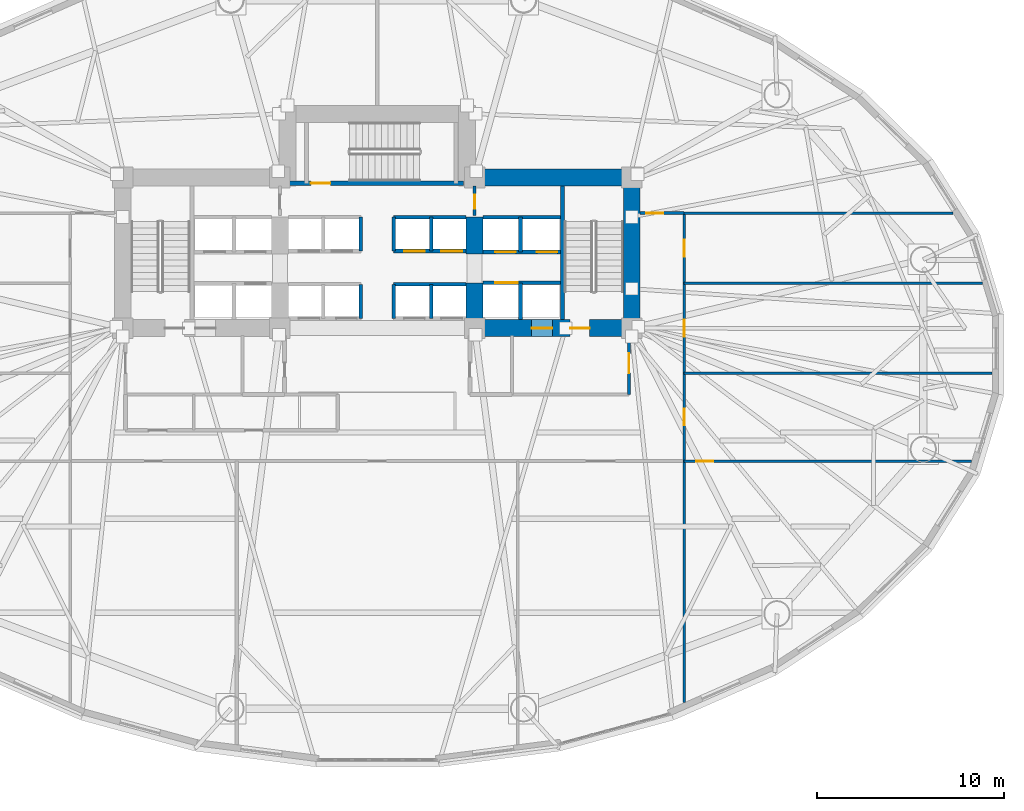
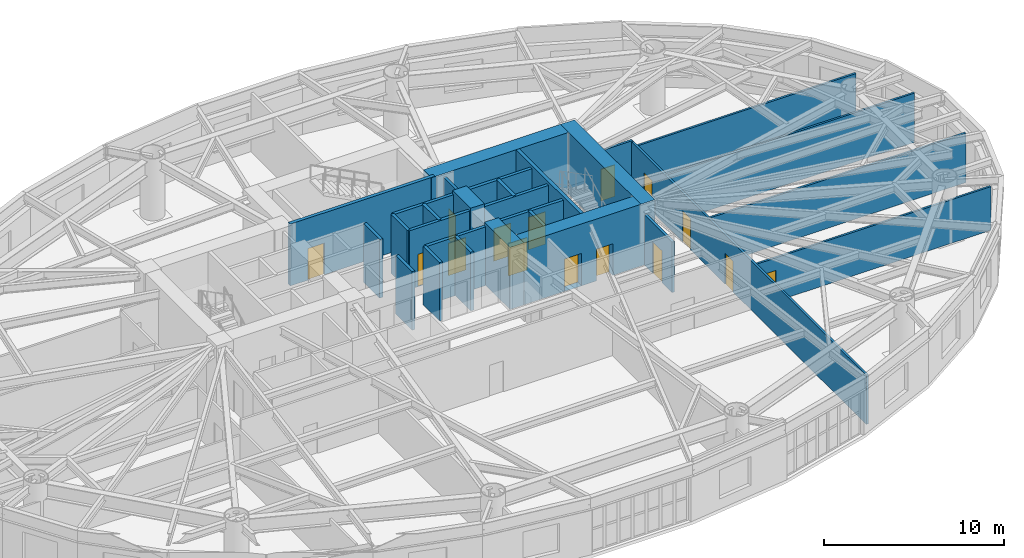
# One storey, part 11 of 18: 29 walls, 15 doors, 15 openings.
"""IFC4 building model written with IfcOpenShell, lengths in metres."""

from ifc_helpers import new_model, si_unit, direction, frame, frame_2d, origin, place, context, subcontext, project, spatial, rectangle, extrude, material, layer, layer_set, type_object, element, fill, save


model = new_model("IFC4")

# Units and contexts
model_context = context("Model", 3, precision=1e-05, world=origin(), true_north=direction((0.0, 1.0)))
body_context = subcontext(model_context, "Body", "Model", "MODEL_VIEW")
ifc_project = project(units=[si_unit("LENGTHUNIT", "METRE"), si_unit("AREAUNIT", "SQUARE_METRE"), si_unit("VOLUMEUNIT", "CUBIC_METRE"), si_unit("PLANEANGLEUNIT", "RADIAN"), si_unit("MASSUNIT", "GRAM", prefix="KILO")], contexts=[model_context])

# Site, building, storey
site_placement = place(None, origin())
site = spatial("IfcSite", under=ifc_project, at=site_placement, CompositionType="ELEMENT")
building_placement = place(site_placement, origin())
building = spatial("IfcBuilding", under=site, at=building_placement, Name="Keldmark Tower", CompositionType="ELEMENT")
storey_placement = place(building_placement, frame((0.0, 0.0, 6.0)))
storey = spatial("IfcBuildingStorey", under=building, at=storey_placement, Name="L01", CompositionType="ELEMENT", Elevation=6.0)

# Wall, openings, doors
ifc_material_1 = material(Name="Acoustic Double-Layer Gypsum Corridor Partition", Category="gypsum")
ifc_layer_1 = layer(ifc_material_1, 0.139892578125)
ifc_layer_set_1 = layer_set([ifc_layer_1], Name="Acoustic Double-Layer Gypsum Corridor Partition")
wall_type_1 = type_object("IfcWallType", Name="Acoustic Corridor Partition 140 mm", PredefinedType="PARTITIONING", material=ifc_layer_set_1)
wall_1_placement = place(storey_placement, frame((16.39990234375, -18.6025390625, 0.0), z_axis=(0.0, 0.0, 1.0), x_axis=(0.0, 1.0, 0.0)))
wall_1 = element("IfcWall", 1, at=wall_1_placement, inside=storey, type_object=wall_type_1, Name="L01 Acoustic Corridor Partition 140 mm COR-E", PredefinedType="PARTITIONING", context=body_context, shape_type="SweptSolid", body=[
    extrude(rectangle(XDim=26.152587890625, YDim=0.139892578125, at=frame_2d((13.076171875, 0.0))), origin(), (0.0, 0.0, 1.0), 3.347900390625),
])
opening_1_placement = place(wall_1_placement, frame((14.80224609375, 0.0, 0.0)))
opening_1 = element("IfcOpeningElement", 2, at=opening_1_placement, cuts=wall_1, Name="Opening D-IN090", PredefinedType="OPENING", context=body_context, shape_type="SweptSolid", body=[
    extrude(rectangle(XDim=0.89990234375, YDim=2.10009765625, at=frame_2d((0.449951171875, 1.050048828125))), frame((0.0, 0.079833984375, 0.0), z_axis=(0.0, -1.0, 0.0), x_axis=(1.0, 0.0, 0.0)), (0.0, 0.0, 1.0), 0.159912109375),
])
opening_2_placement = place(wall_1_placement, frame((19.55224609375, 0.0, 0.0)))
opening_2 = element("IfcOpeningElement", 3, at=opening_2_placement, cuts=wall_1, Name="Opening D-IN090", PredefinedType="OPENING", context=body_context, shape_type="SweptSolid", body=[
    extrude(rectangle(XDim=0.89990234375, YDim=2.10009765625, at=frame_2d((0.449951171875, 1.050048828125))), frame((0.0, 0.079833984375, 0.0), z_axis=(0.0, -1.0, 0.0), x_axis=(1.0, 0.0, 0.0)), (0.0, 0.0, 1.0), 0.159912109375),
])
opening_3_placement = place(wall_1_placement, frame((23.827392578125, 0.0, 0.0)))
opening_3 = element("IfcOpeningElement", 4, at=opening_3_placement, cuts=wall_1, Name="Opening D-IN090", PredefinedType="OPENING", context=body_context, shape_type="SweptSolid", body=[
    extrude(rectangle(XDim=0.89990234375, YDim=2.10009765625, at=frame_2d((0.449951171875, 1.050048828125))), frame((0.0, 0.079833984375, 0.0), z_axis=(0.0, -1.0, 0.0), x_axis=(1.0, 0.0, 0.0)), (0.0, 0.0, 1.0), 0.159912109375),
])
ifc_material_2 = material(Name="Stained American White Oak Veneer", Category="wood")
door_type_1 = type_object("IfcDoorType", Name="Interior Door 900x2100", OperationType="NOTDEFINED", PredefinedType="DOOR", material=ifc_material_2)
door_1_placement = place(opening_1_placement, origin())
door_1 = element("IfcDoor", 5, at=door_1_placement, inside=storey, type_object=door_type_1, Name="L01 Interior Door 900x2100 D-ER-1-L01", OperationType="SINGLE_SWING_RIGHT", OverallHeight=2.10009765625, OverallWidth=0.89990234375, PredefinedType="DOOR", context=body_context, shape_type="SweptSolid", body=[
    extrude(rectangle(XDim=0.89990234375, YDim=2.10009765625, at=frame_2d((0.449951171875, 1.050048828125))), frame((0.0, 0.02490234375, 0.0), z_axis=(0.0, -1.0, 0.0), x_axis=(1.0, 0.0, 0.0)), (0.0, 0.0, 1.0), 0.050048828125),
])
fill(opening_1, door_1)
door_2_placement = place(opening_2_placement, origin())
door_2 = element("IfcDoor", 6, at=door_2_placement, inside=storey, type_object=door_type_1, Name="L01 Interior Door 900x2100 D-ER-2-L01", OperationType="SINGLE_SWING_LEFT", OverallHeight=2.10009765625, OverallWidth=0.89990234375, PredefinedType="DOOR", context=body_context, shape_type="SweptSolid", body=[
    extrude(rectangle(XDim=0.89990234375, YDim=2.10009765625, at=frame_2d((0.449951171875, 1.050048828125))), frame((0.0, 0.02490234375, 0.0), z_axis=(0.0, -1.0, 0.0), x_axis=(1.0, 0.0, 0.0)), (0.0, 0.0, 1.0), 0.050048828125),
])
fill(opening_2, door_2)
door_3_placement = place(opening_3_placement, origin())
door_3 = element("IfcDoor", 7, at=door_3_placement, inside=storey, type_object=door_type_1, Name="L01 Interior Door 900x2100 D-ER-3-L01", OperationType="SINGLE_SWING_RIGHT", OverallHeight=2.10009765625, OverallWidth=0.89990234375, PredefinedType="DOOR", context=body_context, shape_type="SweptSolid", body=[
    extrude(rectangle(XDim=0.89990234375, YDim=2.10009765625, at=frame_2d((0.449951171875, 1.050048828125))), frame((0.0, 0.02490234375, 0.0), z_axis=(0.0, -1.0, 0.0), x_axis=(1.0, 0.0, 0.0)), (0.0, 0.0, 1.0), 0.050048828125),
])
fill(opening_3, door_3)

# Wall, opening, door
wall_2_placement = place(storey_placement, frame((14.050048828125, 7.550048828125, 0.0), z_axis=(0.0, 0.0, 1.0), x_axis=(1.0, 0.0, 0.0)))
wall_2 = element("IfcWall", 8, at=wall_2_placement, inside=storey, type_object=wall_type_1, Name="L01 Acoustic Corridor Partition 140 mm COR-EN-CAP", PredefinedType="PARTITIONING", context=body_context, shape_type="SweptSolid", body=[
    extrude(rectangle(XDim=2.349853515625, YDim=0.139892578125, at=frame_2d((1.1748046875, 0.0))), origin(), (0.0, 0.0, 1.0), 3.43310546875),
])
opening_4_placement = place(wall_2_placement, frame((0.320068359375, 0.0, 0.0)))
opening_4 = element("IfcOpeningElement", 9, at=opening_4_placement, cuts=wall_2, Name="Opening D-EX092", PredefinedType="OPENING", context=body_context, shape_type="SweptSolid", body=[
    extrude(rectangle(XDim=0.919921875, YDim=2.14990234375, at=frame_2d((0.4599609375, 1.074951171875))), frame((0.0, 0.079833984375, 0.0), z_axis=(0.0, -1.0, 0.0), x_axis=(1.0, 0.0, 0.0)), (0.0, 0.0, 1.0), 0.159912109375),
])
ifc_material_3 = material(Name="Flush American Ash Executive Office Door", Category="wood")
door_type_2 = type_object("IfcDoorType", Name="Executive Office Door 920x2150", OperationType="NOTDEFINED", PredefinedType="DOOR", material=ifc_material_3)
door_4_placement = place(opening_4_placement, origin())
door_4 = element("IfcDoor", 10, at=door_4_placement, inside=storey, type_object=door_type_2, Name="L01 Executive Office Door 920x2150 D-NRNE-L01", OperationType="SINGLE_SWING_RIGHT", OverallHeight=2.14990234375, OverallWidth=0.919921875, PredefinedType="DOOR", context=body_context, shape_type="SweptSolid", body=[
    extrude(rectangle(XDim=0.919921875, YDim=2.14990234375, at=frame_2d((0.4599609375, 1.074951171875))), frame((0.0, 0.02490234375, 0.0), z_axis=(0.0, -1.0, 0.0), x_axis=(1.0, 0.0, 0.0)), (0.0, 0.0, 1.0), 0.050048828125),
])
fill(opening_4, door_4)

# Wall
ifc_material_4 = material(Name="Acoustic Gypsum Board Interior Partition", Category="gypsum")
ifc_layer_2 = layer(ifc_material_4, 0.1298828125)
ifc_layer_set_2 = layer_set([ifc_layer_2], Name="Acoustic Gypsum Board Interior Partition")
wall_type_2 = type_object("IfcWallType", Name="Interior Partition 130 mm", PredefinedType="PARTITIONING", material=ifc_layer_set_2)
wall_3_placement = place(storey_placement, frame((16.39990234375, 7.550048828125, 0.0), z_axis=(0.0, 0.0, 1.0), x_axis=(1.0, 0.0, 0.0)))
element("IfcWall", 11, at=wall_3_placement, inside=storey, type_object=wall_type_2, Name="L01 Interior Partition 130 mm E-CAP-N", PredefinedType="PARTITIONING", context=body_context, shape_type="SweptSolid", body=[
    extrude(rectangle(XDim=14.3466796875, YDim=0.1298828125, at=frame_2d((7.17333984375, 0.0))), origin(), (0.0, 0.0, 1.0), 2.9580078125),
])

# Wall, opening, door
wall_4_placement = place(storey_placement, frame((16.39990234375, -5.699951171875, 0.0), z_axis=(0.0, 0.0, 1.0), x_axis=(1.0, 0.0, 0.0)))
wall_4 = element("IfcWall", 12, at=wall_4_placement, inside=storey, type_object=wall_type_2, Name="L01 Interior Partition 130 mm E-CAP-S", PredefinedType="PARTITIONING", context=body_context, shape_type="SweptSolid", body=[
    extrude(rectangle(XDim=15.355712890625, YDim=0.1298828125, at=frame_2d((7.677734375, 0.0))), origin(), (0.0, 0.0, 1.0), 2.9580078125),
])
opening_5_placement = place(wall_4_placement, frame((0.64990234375, 0.0, 0.0)))
opening_5 = element("IfcOpeningElement", 13, at=opening_5_placement, cuts=wall_4, Name="Opening D-IN090", PredefinedType="OPENING", context=body_context, shape_type="SweptSolid", body=[
    extrude(rectangle(XDim=0.89990234375, YDim=2.10009765625, at=frame_2d((0.449951171875, 1.050048828125))), frame((0.0, 0.074951171875, 0.0), z_axis=(0.0, -1.0, 0.0), x_axis=(1.0, 0.0, 0.0)), (0.0, 0.0, 1.0), 0.14990234375),
])
door_5_placement = place(opening_5_placement, origin())
door_5 = element("IfcDoor", 14, at=door_5_placement, inside=storey, type_object=door_type_1, Name="L01 Interior Door 900x2100 D-ERSE-L01", OperationType="SINGLE_SWING_RIGHT", OverallHeight=2.10009765625, OverallWidth=0.89990234375, PredefinedType="DOOR", context=body_context, shape_type="SweptSolid", body=[
    extrude(rectangle(XDim=0.89990234375, YDim=2.10009765625, at=frame_2d((0.449951171875, 1.050048828125))), frame((0.0, 0.02490234375, 0.0), z_axis=(0.0, -1.0, 0.0), x_axis=(1.0, 0.0, 0.0)), (0.0, 0.0, 1.0), 0.050048828125),
])
fill(opening_5, door_5)

# Walls
wall_5_placement = place(storey_placement, frame((16.39990234375, -1.0, 0.0), z_axis=(0.0, 0.0, 1.0), x_axis=(1.0, 0.0, 0.0)))
element("IfcWall", 15, at=wall_5_placement, inside=storey, type_object=wall_type_2, Name="L01 Interior Partition 130 mm E-DIV-1", PredefinedType="PARTITIONING", context=body_context, shape_type="SweptSolid", body=[
    extrude(rectangle(XDim=16.45068359375, YDim=0.1298828125, at=frame_2d((8.225341796875, 0.0))), origin(), (0.0, 0.0, 1.0), 3.347900390625),
])
wall_6_placement = place(storey_placement, frame((16.39990234375, 3.800048828125, 0.0), z_axis=(0.0, 0.0, 1.0), x_axis=(1.0, 0.0, 0.0)))
element("IfcWall", 16, at=wall_6_placement, inside=storey, type_object=wall_type_2, Name="L01 Interior Partition 130 mm E-DIV-2", PredefinedType="PARTITIONING", context=body_context, shape_type="SweptSolid", body=[
    extrude(rectangle(XDim=15.93115234375, YDim=0.1298828125, at=frame_2d((7.965576171875, 0.0))), origin(), (0.0, 0.0, 1.0), 3.347900390625),
])
ifc_material_5 = material(Name="Concrete C70/85", Category="concrete")
ifc_layer_3 = layer(ifc_material_5, 0.89990234375)
ifc_layer_set_3 = layer_set([ifc_layer_3], Name="Concrete C70/85")
wall_type_3 = type_object("IfcWallType", Name="Lower Core Shear Wall 900 mm", PredefinedType="SHEAR", material=ifc_layer_set_3)
wall_7_placement = place(storey_placement, frame((13.60009765625, 0.949951171875, 0.0), z_axis=(0.0, 0.0, 1.0), x_axis=(0.0, 1.0, 0.0)))
element("IfcWall", 17, at=wall_7_placement, inside=storey, type_object=wall_type_3, Name="L01 East Core Outer Shear Wall", PredefinedType="SHEAR", context=body_context, shape_type="SweptSolid", body=[
    extrude(rectangle(XDim=8.949951171875, YDim=0.89990234375, at=frame_2d((4.47509765625, 0.0))), origin(), (0.0, 0.0, 1.0), 4.199951171875),
])
wall_8_placement = place(storey_placement, frame((4.35009765625, 9.449951171875, 0.0), z_axis=(0.0, 0.0, 1.0), x_axis=(1.0, 0.0, 0.0)))
element("IfcWall", 18, at=wall_8_placement, inside=storey, type_object=wall_type_3, Name="L01 East Core North Shear Wall", PredefinedType="SHEAR", context=body_context, shape_type="SweptSolid", body=[
    extrude(rectangle(XDim=9.699951171875, YDim=0.89990234375, at=frame_2d((4.85009765625, 0.0))), origin(), (0.0, 0.0, 1.0), 4.199951171875),
])

# Wall, openings, doors
wall_9_placement = place(storey_placement, frame((14.050048828125, 1.39990234375, 0.0), z_axis=(0.0, 0.0, 1.0), x_axis=(-1.0, 0.0, 0.0)))
wall_9 = element("IfcWall", 19, at=wall_9_placement, inside=storey, type_object=wall_type_3, Name="L01 East Core South Shear Wall", PredefinedType="SHEAR", context=body_context, shape_type="SweptSolid", body=[
    extrude(rectangle(XDim=9.300048828125, YDim=0.89990234375, at=frame_2d((4.64990234375, 0.0))), origin(), (0.0, 0.0, 1.0), 4.199951171875),
])
opening_6_placement = place(wall_9_placement, frame((2.699951171875, 0.0, 0.0)))
opening_6 = element("IfcOpeningElement", 20, at=opening_6_placement, cuts=wall_9, Name="Opening D-ST105", PredefinedType="OPENING", context=body_context, shape_type="SweptSolid", body=[
    extrude(rectangle(XDim=1.050048828125, YDim=2.14990234375, at=frame_2d((0.52490234375, 1.074951171875))), frame((0.0, 0.4599609375, 0.0), z_axis=(0.0, -1.0, 0.0), x_axis=(1.0, 0.0, 0.0)), (0.0, 0.0, 1.0), 0.919921875),
])
opening_7_placement = place(wall_9_placement, frame((4.699951171875, 0.0, 0.0)))
opening_7 = element("IfcOpeningElement", 21, at=opening_7_placement, cuts=wall_9, Name="Opening LD-110", PredefinedType="OPENING", context=body_context, shape_type="SweptSolid", body=[
    extrude(rectangle(XDim=1.10009765625, YDim=2.199951171875, at=frame_2d((0.550048828125, 1.10009765625))), frame((0.0, 0.4599609375, 0.0), z_axis=(0.0, -1.0, 0.0), x_axis=(1.0, 0.0, 0.0)), (0.0, 0.0, 1.0), 0.919921875),
])
ifc_material_6 = material(Name="Brushed Bronze Hoistway Sliding Leaf", Category="metal")
door_type_3 = type_object("IfcDoorType", Name="Lift Landing Sliding Door 1100x2200", OperationType="SLIDING_TO_LEFT", PredefinedType="DOOR", material=ifc_material_6)
door_6_placement = place(opening_7_placement, origin())
door_6 = element("IfcDoor", 22, at=door_6_placement, inside=storey, type_object=door_type_3, Name="L01 Lift Landing Sliding Door 1100x2200 LD-EL-FS2-L01", OperationType="SLIDING_TO_LEFT", OverallHeight=2.199951171875, OverallWidth=1.10009765625, PredefinedType="DOOR", context=body_context, shape_type="SweptSolid", body=[
    extrude(rectangle(XDim=1.10009765625, YDim=2.199951171875, at=frame_2d((0.550048828125, 1.10009765625))), frame((0.0, 0.02490234375, 0.0), z_axis=(0.0, -1.0, 0.0), x_axis=(1.0, 0.0, 0.0)), (0.0, 0.0, 1.0), 0.050048828125),
])
fill(opening_7, door_6)
ifc_material_7 = material(Name="Hollow Metal Fire-Rated Door Assembly", Category="metal")
door_type_4 = type_object("IfcDoorType", Name="Stair Fire Door 1050x2150", OperationType="NOTDEFINED", PredefinedType="DOOR", material=ifc_material_7)
door_7_placement = place(opening_6_placement, origin())
door_7 = element("IfcDoor", 23, at=door_7_placement, inside=storey, type_object=door_type_4, Name="L01 Stair Fire Door 1050x2150 D-ST2-L01", OperationType="SINGLE_SWING_LEFT", OverallHeight=2.14990234375, OverallWidth=1.050048828125, PredefinedType="DOOR", context=body_context, shape_type="SweptSolid", body=[
    extrude(rectangle(XDim=1.050048828125, YDim=2.14990234375, at=frame_2d((0.52490234375, 1.074951171875))), frame((0.0, 0.02490234375, 0.0), z_axis=(0.0, -1.0, 0.0), x_axis=(1.0, 0.0, 0.0)), (0.0, 0.0, 1.0), 0.050048828125),
])
fill(opening_6, door_7)

# Walls
wall_10_placement = place(storey_placement, frame((5.199951171875, 0.949951171875, 0.0), z_axis=(0.0, 0.0, 1.0), x_axis=(0.0, 1.0, 0.0)))
element("IfcWall", 24, at=wall_10_placement, inside=storey, type_object=wall_type_3, Name="L01 East Core Inner Shear Pier South", PredefinedType="SHEAR", context=body_context, shape_type="SweptSolid", body=[
    extrude(rectangle(XDim=2.85009765625, YDim=0.89990234375, at=frame_2d((1.425048828125, 0.0))), origin(), (0.0, 0.0, 1.0), 4.199951171875),
])
wall_11_placement = place(storey_placement, frame((5.199951171875, 5.35009765625, 0.0), z_axis=(0.0, 0.0, 1.0), x_axis=(0.0, 1.0, 0.0)))
element("IfcWall", 25, at=wall_11_placement, inside=storey, type_object=wall_type_3, Name="L01 East Core Inner Shear Pier North", PredefinedType="SHEAR", context=body_context, shape_type="SweptSolid", body=[
    extrude(rectangle(XDim=2.0, YDim=0.89990234375, at=frame_2d((1.0, 0.0))), origin(), (0.0, 0.0, 1.0), 4.199951171875),
])

# Wall, opening, door
ifc_material_8 = material(Name="Type X Fire-Rated Gypsum Partition Assembly", Category="gypsum")
ifc_layer_4 = layer(ifc_material_8, 0.1650390625)
ifc_layer_set_4 = layer_set([ifc_layer_4], Name="Type X Fire-Rated Gypsum Partition Assembly")
wall_type_4 = type_object("IfcWallType", Name="Rated Partition 165 mm", PredefinedType="PARTITIONING", material=ifc_layer_set_4)
wall_12_placement = place(storey_placement, frame((13.449951171875, -2.14990234375, 0.0), z_axis=(0.0, 0.0, 1.0), x_axis=(0.0, 1.0, 0.0)))
wall_12 = element("IfcWall", 26, at=wall_12_placement, inside=storey, type_object=wall_type_4, Name="L01 Rated Partition 165 mm FSAE-E-E", PredefinedType="PARTITIONING", context=body_context, shape_type="SweptSolid", body=[
    extrude(rectangle(XDim=3.14990234375, YDim=0.1650390625, at=frame_2d((1.574951171875, 0.0))), origin(), (0.0, 0.0, 1.0), 3.43310546875),
])
opening_8_placement = place(wall_12_placement, frame((1.14990234375, 0.0, 0.0)))
opening_8 = element("IfcOpeningElement", 27, at=opening_8_placement, cuts=wall_12, Name="Opening D-FL105", PredefinedType="OPENING", context=body_context, shape_type="SweptSolid", body=[
    extrude(rectangle(XDim=1.050048828125, YDim=2.14990234375, at=frame_2d((0.52490234375, 1.074951171875))), frame((0.0, 0.092529296875, 0.0), z_axis=(0.0, -1.0, 0.0), x_axis=(1.0, 0.0, 0.0)), (0.0, 0.0, 1.0), 0.18505859375),
])
ifc_material_9 = material(Name="Fire-Rated Mineral-Core Door and Vision Lite", Category="metal")
door_type_5 = type_object("IfcDoorType", Name="Fire Lobby Door 1050x2150", OperationType="NOTDEFINED", PredefinedType="DOOR", material=ifc_material_9)
door_8_placement = place(opening_8_placement, origin())
door_8 = element("IfcDoor", 28, at=door_8_placement, inside=storey, type_object=door_type_5, Name="L01 Fire Lobby Door 1050x2150 D-FSAEE-OUT-L01", OperationType="SINGLE_SWING_LEFT", OverallHeight=2.14990234375, OverallWidth=1.050048828125, PredefinedType="DOOR", context=body_context, shape_type="SweptSolid", body=[
    extrude(rectangle(XDim=1.050048828125, YDim=2.14990234375, at=frame_2d((0.52490234375, 1.074951171875))), frame((0.0, 0.02490234375, 0.0), z_axis=(0.0, -1.0, 0.0), x_axis=(1.0, 0.0, 0.0)), (0.0, 0.0, 1.0), 0.050048828125),
])
fill(opening_8, door_8)

wall_13_placement = place(storey_placement, frame((5.199951171875, 7.419921875, 0.0), z_axis=(0.0, 0.0, 1.0), x_axis=(0.0, 1.0, 0.0)))
wall_13 = element("IfcWall", 29, at=wall_13_placement, inside=storey, type_object=wall_type_4, Name="L01 Rated Partition 165 mm CS-NE-W", PredefinedType="PARTITIONING", context=body_context, shape_type="SweptSolid", body=[
    extrude(rectangle(XDim=1.580078125, YDim=0.1650390625, at=frame_2d((0.7900390625, 0.0))), origin(), (0.0, 0.0, 1.0), 3.97998046875),
])
opening_9_placement = place(wall_13_placement, frame((0.35009765625, 0.0, 0.0)))
opening_9 = element("IfcOpeningElement", 30, at=opening_9_placement, cuts=wall_13, Name="Opening D-RS075", PredefinedType="OPENING", context=body_context, shape_type="SweptSolid", body=[
    extrude(rectangle(XDim=0.75, YDim=2.10009765625, at=frame_2d((0.375, 1.050048828125))), frame((0.0, 0.092529296875, 0.0), z_axis=(0.0, -1.0, 0.0), x_axis=(1.0, 0.0, 0.0)), (0.0, 0.0, 1.0), 0.18505859375),
])
ifc_material_10 = material(Name="Galvanized Fire-Rated Access Leaf", Category="metal")
door_type_6 = type_object("IfcDoorType", Name="Riser Access Door 750x2100", OperationType="NOTDEFINED", PredefinedType="DOOR", material=ifc_material_10)
door_9_placement = place(opening_9_placement, origin())
door_9 = element("IfcDoor", 31, at=door_9_placement, inside=storey, type_object=door_type_6, Name="L01 Riser Access Door 750x2100 D-CSNE1-L01", OperationType="SINGLE_SWING_LEFT", OverallHeight=2.10009765625, OverallWidth=0.75, PredefinedType="DOOR", context=body_context, shape_type="SweptSolid", body=[
    extrude(rectangle(XDim=0.75, YDim=2.10009765625, at=frame_2d((0.375, 1.050048828125))), frame((0.0, 0.02490234375, 0.0), z_axis=(0.0, -1.0, 0.0), x_axis=(1.0, 0.0, 0.0)), (0.0, 0.0, 1.0), 0.050048828125),
])
fill(opening_9, door_9)

ifc_material_11 = material(Name="Fire-Resistant Type X Gypsum Shaftliner Coreboard", Category="gypsum")
ifc_layer_5 = layer(ifc_material_11, 0.199951171875)
ifc_layer_set_5 = layer_set([ifc_layer_5], Name="Fire-Resistant Type X Gypsum Shaftliner Coreboard")
wall_type_5 = type_object("IfcWallType", Name="Shaft Wall 200 mm", PredefinedType="SOLIDWALL", material=ifc_layer_set_5)
wall_14_placement = place(storey_placement, frame((5.64990234375, 3.820068359375, 0.0), z_axis=(0.0, 0.0, 1.0), x_axis=(1.0, 0.0, 0.0)))
wall_14 = element("IfcWall", 32, at=wall_14_placement, inside=storey, type_object=wall_type_5, Name="L01 Shaft Wall 200 mm HW-E-S", PredefinedType="SOLIDWALL", context=body_context, shape_type="SweptSolid", body=[
    extrude(rectangle(XDim=4.130126953125, YDim=0.199951171875, at=frame_2d((2.06494140625, 0.0))), origin(), (0.0, 0.0, 1.0), 3.97998046875),
])
opening_10_placement = place(wall_14_placement, frame((0.64990234375, 0.0, 0.0)))
opening_10 = element("IfcOpeningElement", 33, at=opening_10_placement, cuts=wall_14, Name="Opening LD-120", PredefinedType="OPENING", context=body_context, shape_type="SweptSolid", body=[
    extrude(rectangle(XDim=1.199951171875, YDim=2.199951171875, at=frame_2d((0.60009765625, 1.10009765625))), frame((0.0, 0.10986328125, 0.0), z_axis=(0.0, -1.0, 0.0), x_axis=(1.0, 0.0, 0.0)), (0.0, 0.0, 1.0), 0.219970703125),
])
ifc_material_12 = material(Name="Heavy-Duty Brushed Metal Hoistway Sliding Leaf", Category="metal")
door_type_7 = type_object("IfcDoorType", Name="Service Lift Sliding Door 1200x2200", OperationType="SLIDING_TO_RIGHT", PredefinedType="DOOR", material=ifc_material_12)
door_10_placement = place(opening_10_placement, origin())
door_10 = element("IfcDoor", 34, at=door_10_placement, inside=storey, type_object=door_type_7, Name="L01 Service Lift Sliding Door 1200x2200 LD-EL-SV1-L01", OperationType="SLIDING_TO_RIGHT", OverallHeight=2.199951171875, OverallWidth=1.199951171875, PredefinedType="DOOR", context=body_context, shape_type="SweptSolid", body=[
    extrude(rectangle(XDim=1.199951171875, YDim=2.199951171875, at=frame_2d((0.60009765625, 1.10009765625))), frame((0.0, 0.02490234375, 0.0), z_axis=(0.0, -1.0, 0.0), x_axis=(1.0, 0.0, 0.0)), (0.0, 0.0, 1.0), 0.050048828125),
])
fill(opening_10, door_10)

# Wall
wall_15_placement = place(storey_placement, frame((7.64990234375, 1.85009765625, 0.0), z_axis=(0.0, 0.0, 1.0), x_axis=(0.0, 1.0, 0.0)))
element("IfcWall", 35, at=wall_15_placement, inside=storey, type_object=wall_type_5, Name="L01 Shaft Wall 200 mm HW-E-M", PredefinedType="SOLIDWALL", context=body_context, shape_type="SweptSolid", body=[
    extrude(rectangle(XDim=1.969970703125, YDim=0.199951171875, at=frame_2d((0.98486328125, 0.0))), origin(), (0.0, 0.0, 1.0), 3.97998046875),
])

# Wall, openings, doors
wall_16_placement = place(storey_placement, frame((5.64990234375, 5.469970703125, 0.0), z_axis=(0.0, 0.0, 1.0), x_axis=(1.0, 0.0, 0.0)))
wall_16 = element("IfcWall", 36, at=wall_16_placement, inside=storey, type_object=wall_type_5, Name="L01 Shaft Wall 200 mm HW-E-N", PredefinedType="SOLIDWALL", context=body_context, shape_type="SweptSolid", body=[
    extrude(rectangle(XDim=4.130126953125, YDim=0.199951171875, at=frame_2d((2.06494140625, 0.0))), origin(), (0.0, 0.0, 1.0), 3.97998046875),
])
opening_11_placement = place(wall_16_placement, frame((0.64990234375, 0.0, 0.0)))
opening_11 = element("IfcOpeningElement", 37, at=opening_11_placement, cuts=wall_16, Name="Opening LD-110", PredefinedType="OPENING", context=body_context, shape_type="SweptSolid", body=[
    extrude(rectangle(XDim=1.10009765625, YDim=2.199951171875, at=frame_2d((0.550048828125, 1.10009765625))), frame((0.0, 0.10986328125, 0.0), z_axis=(0.0, -1.0, 0.0), x_axis=(1.0, 0.0, 0.0)), (0.0, 0.0, 1.0), 0.219970703125),
])
opening_12_placement = place(wall_16_placement, frame((2.8798828125, 0.0, 0.0)))
opening_12 = element("IfcOpeningElement", 38, at=opening_12_placement, cuts=wall_16, Name="Opening LD-110", PredefinedType="OPENING", context=body_context, shape_type="SweptSolid", body=[
    extrude(rectangle(XDim=1.10009765625, YDim=2.199951171875, at=frame_2d((0.550048828125, 1.10009765625))), frame((0.0, 0.10986328125, 0.0), z_axis=(0.0, -1.0, 0.0), x_axis=(1.0, 0.0, 0.0)), (0.0, 0.0, 1.0), 0.219970703125),
])
door_11_placement = place(opening_11_placement, origin())
door_11 = element("IfcDoor", 39, at=door_11_placement, inside=storey, type_object=door_type_3, Name="L01 Lift Landing Sliding Door 1100x2200 LD-EL-OB1-L01", OperationType="SLIDING_TO_LEFT", OverallHeight=2.199951171875, OverallWidth=1.10009765625, PredefinedType="DOOR", context=body_context, shape_type="SweptSolid", body=[
    extrude(rectangle(XDim=1.10009765625, YDim=2.199951171875, at=frame_2d((0.550048828125, 1.10009765625))), frame((0.0, 0.02490234375, 0.0), z_axis=(0.0, -1.0, 0.0), x_axis=(1.0, 0.0, 0.0)), (0.0, 0.0, 1.0), 0.050048828125),
])
fill(opening_11, door_11)
door_12_placement = place(opening_12_placement, origin())
door_12 = element("IfcDoor", 40, at=door_12_placement, inside=storey, type_object=door_type_3, Name="L01 Lift Landing Sliding Door 1100x2200 LD-EL-OB2-L01", OperationType="SLIDING_TO_LEFT", OverallHeight=2.199951171875, OverallWidth=1.10009765625, PredefinedType="DOOR", context=body_context, shape_type="SweptSolid", body=[
    extrude(rectangle(XDim=1.10009765625, YDim=2.199951171875, at=frame_2d((0.550048828125, 1.10009765625))), frame((0.0, 0.02490234375, 0.0), z_axis=(0.0, -1.0, 0.0), x_axis=(1.0, 0.0, 0.0)), (0.0, 0.0, 1.0), 0.050048828125),
])
fill(opening_12, door_12)

# Walls
wall_17_placement = place(storey_placement, frame((5.64990234375, 7.330078125, 0.0), z_axis=(0.0, 0.0, 1.0), x_axis=(1.0, 0.0, 0.0)))
element("IfcWall", 41, at=wall_17_placement, inside=storey, type_object=wall_type_5, Name="L01 Shaft Wall 200 mm HW-E-TOP", PredefinedType="SOLIDWALL", context=body_context, shape_type="SweptSolid", body=[
    extrude(rectangle(XDim=4.130126953125, YDim=0.199951171875, at=frame_2d((2.06494140625, 0.0))), origin(), (0.0, 0.0, 1.0), 3.97998046875),
])
wall_18_placement = place(storey_placement, frame((7.64990234375, 5.469970703125, 0.0), z_axis=(0.0, 0.0, 1.0), x_axis=(0.0, 1.0, 0.0)))
element("IfcWall", 42, at=wall_18_placement, inside=storey, type_object=wall_type_5, Name="L01 Shaft Wall 200 mm HW-E-NM", PredefinedType="SOLIDWALL", context=body_context, shape_type="SweptSolid", body=[
    extrude(rectangle(XDim=1.860107421875, YDim=0.199951171875, at=frame_2d((0.93017578125, 0.0))), origin(), (0.0, 0.0, 1.0), 3.97998046875),
])
wall_19_placement = place(storey_placement, frame((0.8798828125, 3.739990234375, 0.0), z_axis=(0.0, 0.0, 1.0), x_axis=(1.0, 0.0, 0.0)))
element("IfcWall", 43, at=wall_19_placement, inside=storey, type_object=wall_type_5, Name="L01 Shaft Wall 200 mm LOW-N-E", PredefinedType="SOLIDWALL", context=body_context, shape_type="SweptSolid", body=[
    extrude(rectangle(XDim=3.860107421875, YDim=0.199951171875, at=frame_2d((1.93017578125, 0.0))), origin(), (0.0, 0.0, 1.0), 3.97998046875),
])
for number, where, z_axis, x_axis, name in (
    (44, (2.8798828125, 1.919921875, 0.0), (0.0, 0.0, 1.0), (0.0, 1.0, 0.0), "L01 Shaft Wall 200 mm LOW-M-E"),
    (45, (-0.8798828125, 1.919921875, 0.0), (0.0, 0.0, 1.0), (0.0, 1.0, 0.0), "L01 Shaft Wall 200 mm LOW-C-W"),
    (46, (0.8798828125, 1.919921875, 0.0), (0.0, 0.0, 1.0), (0.0, 1.0, 0.0), "L01 Shaft Wall 200 mm LOW-C-E"),
):
    element("IfcWall", number, at=place(storey_placement, frame(where, z_axis=z_axis, x_axis=x_axis)), inside=storey, type_object=wall_type_5, Name=name, PredefinedType="SOLIDWALL", context=body_context, shape_type="SweptSolid", body=[
        extrude(rectangle(XDim=1.820068359375, YDim=0.199951171875, at=frame_2d((0.91015625, 0.0))), origin(), (0.0, 0.0, 1.0), 3.97998046875),
    ])

# Wall, openings, doors
wall_20_placement = place(storey_placement, frame((0.8798828125, 5.52001953125, 0.0), z_axis=(0.0, 0.0, 1.0), x_axis=(1.0, 0.0, 0.0)))
wall_20 = element("IfcWall", 47, at=wall_20_placement, inside=storey, type_object=wall_type_5, Name="L01 Shaft Wall 200 mm MID-S-E", PredefinedType="SOLIDWALL", context=body_context, shape_type="SweptSolid", body=[
    extrude(rectangle(XDim=3.860107421875, YDim=0.199951171875, at=frame_2d((1.93017578125, 0.0))), origin(), (0.0, 0.0, 1.0), 3.97998046875),
])
opening_13_placement = place(wall_20_placement, frame((0.550048828125, 0.0, 0.0)))
opening_13 = element("IfcOpeningElement", 48, at=opening_13_placement, cuts=wall_20, Name="Opening LD-110", PredefinedType="OPENING", context=body_context, shape_type="SweptSolid", body=[
    extrude(rectangle(XDim=1.10009765625, YDim=2.199951171875, at=frame_2d((0.550048828125, 1.10009765625))), frame((0.0, 0.10986328125, 0.0), z_axis=(0.0, -1.0, 0.0), x_axis=(1.0, 0.0, 0.0)), (0.0, 0.0, 1.0), 0.219970703125),
])
opening_14_placement = place(wall_20_placement, frame((2.550048828125, 0.0, 0.0)))
opening_14 = element("IfcOpeningElement", 49, at=opening_14_placement, cuts=wall_20, Name="Opening LD-110", PredefinedType="OPENING", context=body_context, shape_type="SweptSolid", body=[
    extrude(rectangle(XDim=1.10009765625, YDim=2.199951171875, at=frame_2d((0.550048828125, 1.10009765625))), frame((0.0, 0.10986328125, 0.0), z_axis=(0.0, -1.0, 0.0), x_axis=(1.0, 0.0, 0.0)), (0.0, 0.0, 1.0), 0.219970703125),
])
door_13_placement = place(opening_13_placement, origin())
door_13 = element("IfcDoor", 50, at=door_13_placement, inside=storey, type_object=door_type_3, Name="L01 Lift Landing Sliding Door 1100x2200 LD-EL-M3-L01", OperationType="SLIDING_TO_LEFT", OverallHeight=2.199951171875, OverallWidth=1.10009765625, PredefinedType="DOOR", context=body_context, shape_type="SweptSolid", body=[
    extrude(rectangle(XDim=1.10009765625, YDim=2.199951171875, at=frame_2d((0.550048828125, 1.10009765625))), frame((0.0, 0.02490234375, 0.0), z_axis=(0.0, -1.0, 0.0), x_axis=(1.0, 0.0, 0.0)), (0.0, 0.0, 1.0), 0.050048828125),
])
fill(opening_13, door_13)
door_14_placement = place(opening_14_placement, origin())
door_14 = element("IfcDoor", 51, at=door_14_placement, inside=storey, type_object=door_type_3, Name="L01 Lift Landing Sliding Door 1100x2200 LD-EL-M4-L01", OperationType="SLIDING_TO_LEFT", OverallHeight=2.199951171875, OverallWidth=1.10009765625, PredefinedType="DOOR", context=body_context, shape_type="SweptSolid", body=[
    extrude(rectangle(XDim=1.10009765625, YDim=2.199951171875, at=frame_2d((0.550048828125, 1.10009765625))), frame((0.0, 0.02490234375, 0.0), z_axis=(0.0, -1.0, 0.0), x_axis=(1.0, 0.0, 0.0)), (0.0, 0.0, 1.0), 0.050048828125),
])
fill(opening_14, door_14)

# Walls
wall_21_placement = place(storey_placement, frame((0.8798828125, 7.330078125, 0.0), z_axis=(0.0, 0.0, 1.0), x_axis=(1.0, 0.0, 0.0)))
element("IfcWall", 52, at=wall_21_placement, inside=storey, type_object=wall_type_5, Name="L01 Shaft Wall 200 mm MID-N-E", PredefinedType="SOLIDWALL", context=body_context, shape_type="SweptSolid", body=[
    extrude(rectangle(XDim=3.860107421875, YDim=0.199951171875, at=frame_2d((1.93017578125, 0.0))), origin(), (0.0, 0.0, 1.0), 3.97998046875),
])
for number, where, z_axis, x_axis, name in (
    (53, (2.8798828125, 5.52001953125, 0.0), (0.0, 0.0, 1.0), (0.0, 1.0, 0.0), "L01 Shaft Wall 200 mm MID-M-E"),
    (54, (-0.8798828125, 5.52001953125, 0.0), (0.0, 0.0, 1.0), (0.0, 1.0, 0.0), "L01 Shaft Wall 200 mm MID-C-W"),
    (55, (0.8798828125, 5.52001953125, 0.0), (0.0, 0.0, 1.0), (0.0, 1.0, 0.0), "L01 Shaft Wall 200 mm MID-C-E"),
):
    element("IfcWall", number, at=place(storey_placement, frame(where, z_axis=z_axis, x_axis=x_axis)), inside=storey, type_object=wall_type_5, Name=name, PredefinedType="SOLIDWALL", context=body_context, shape_type="SweptSolid", body=[
        extrude(rectangle(XDim=1.81005859375, YDim=0.199951171875, at=frame_2d((0.905029296875, 0.0))), origin(), (0.0, 0.0, 1.0), 3.97998046875),
    ])
ifc_material_13 = material(Name="Concrete C50/60", Category="concrete")
ifc_layer_6 = layer(ifc_material_13, 0.219970703125)
ifc_layer_set_6 = layer_set([ifc_layer_6], Name="Concrete C50/60")
wall_type_6 = type_object("IfcWallType", Name="Stair Core Shear Wall 220 mm", PredefinedType="SHEAR", material=ifc_layer_set_6)
wall_22_placement = place(storey_placement, frame((9.889892578125, 1.85009765625, 0.0), z_axis=(0.0, 0.0, 1.0), x_axis=(0.0, 1.0, 0.0)))
element("IfcWall", 56, at=wall_22_placement, inside=storey, type_object=wall_type_6, Name="L01 East Stair Core Shear Wall", PredefinedType="SHEAR", context=body_context, shape_type="SweptSolid", body=[
    extrude(rectangle(XDim=7.14990234375, YDim=0.219970703125, at=frame_2d((3.574951171875, 0.0))), origin(), (0.0, 0.0, 1.0), 4.199951171875),
])

# Wall, opening, door
wall_23_placement = place(storey_placement, frame((-4.699951171875, 9.139892578125, 0.0), z_axis=(0.0, 0.0, 1.0), x_axis=(1.0, 0.0, 0.0)))
wall_23 = element("IfcWall", 57, at=wall_23_placement, inside=storey, type_object=wall_type_6, Name="L01 Central Stair Core South Shear Wall", PredefinedType="SHEAR", context=body_context, shape_type="SweptSolid", body=[
    extrude(rectangle(XDim=9.300048828125, YDim=0.219970703125, at=frame_2d((4.64990234375, 0.0))), origin(), (0.0, 0.0, 1.0), 4.199951171875),
])
opening_15_placement = place(wall_23_placement, frame((1.14990234375, 0.0, 0.0)))
opening_15 = element("IfcOpeningElement", 58, at=opening_15_placement, cuts=wall_23, Name="Opening D-ST105", PredefinedType="OPENING", context=body_context, shape_type="SweptSolid", body=[
    extrude(rectangle(XDim=1.050048828125, YDim=2.14990234375, at=frame_2d((0.52490234375, 1.074951171875))), frame((0.0, 0.119873046875, 0.0), z_axis=(0.0, -1.0, 0.0), x_axis=(1.0, 0.0, 0.0)), (0.0, 0.0, 1.0), 0.239990234375),
])
door_15_placement = place(opening_15_placement, origin())
door_15 = element("IfcDoor", 59, at=door_15_placement, inside=storey, type_object=door_type_4, Name="L01 Stair Fire Door 1050x2150 D-ST3-L01", OperationType="SINGLE_SWING_RIGHT", OverallHeight=2.14990234375, OverallWidth=1.050048828125, PredefinedType="DOOR", context=body_context, shape_type="SweptSolid", body=[
    extrude(rectangle(XDim=1.050048828125, YDim=2.14990234375, at=frame_2d((0.52490234375, 1.074951171875))), frame((0.0, 0.02490234375, 0.0), z_axis=(0.0, -1.0, 0.0), x_axis=(1.0, 0.0, 0.0)), (0.0, 0.0, 1.0), 0.050048828125),
])
fill(opening_15, door_15)

save(model, "model.ifc")
